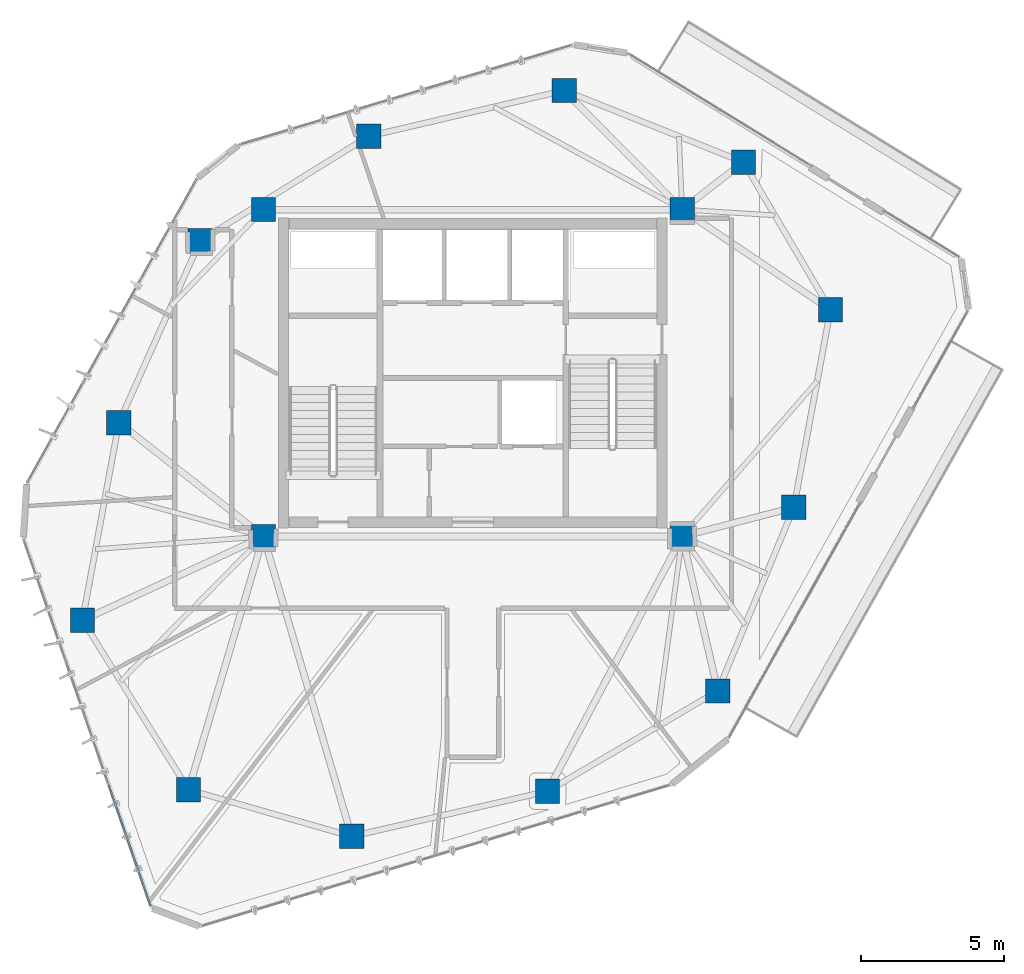
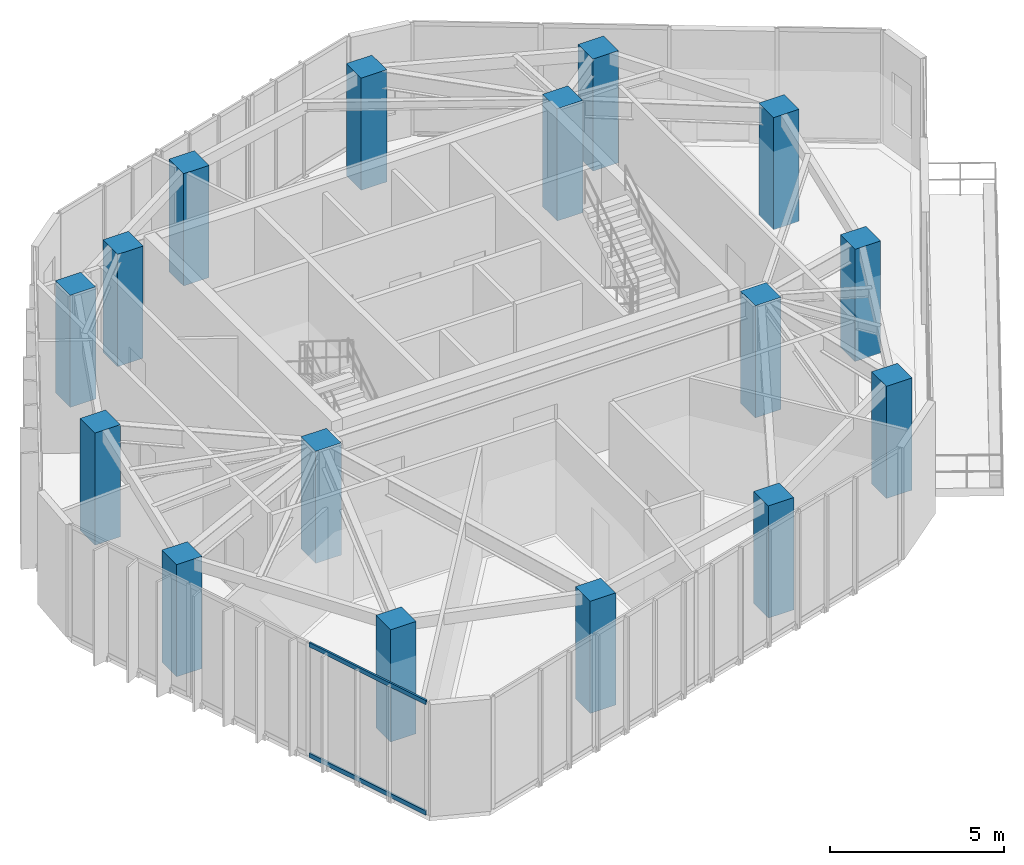
# One storey, part 1 of 20: 16 columns, 2 members, 1 element without a shape of its own.
"""IFC4 building model written with IfcOpenShell, lengths in metres."""

import ifcopenshell
import ifcopenshell.guid

model = None  # the IFC model being written
_history = None  # IfcOwnerHistory: only IFC2X3 demands one
_inside = {}  # id of a spatial element -> (the spatial element, [elements in it])
_under = {}  # id of a project, library or spatial element -> (it, [spatial elements below it])
_declared = {}  # id of a project -> (the project, [libraries it declares])
_typed = {}  # id of a type object -> (the type object, [elements of that type])
_made_of = {}  # id of a material, layer set ... -> (it, [elements and type objects made of it])


def new_model(schema):
    """Start an empty IFC model of exactly this schema.

    Asked for "IFC4X3", IfcOpenShell would pick the latest addendum, in which some entities
    have other attributes; the version numbers below select the first issue.
    IFC2X3 requires an IfcOwnerHistory on every rooted entity: one is made here for all.
    """
    global model, _history
    if schema == "IFC4X3":
        model = ifcopenshell.file(schema_version=(4, 3, 0, 0))
    else:
        model = ifcopenshell.file(schema=schema)
    _inside.clear()
    _under.clear()
    _declared.clear()
    _typed.clear()
    _made_of.clear()
    _history = None
    if model.schema == "IFC2X3":
        org = make("IfcOrganization", Name="unknown")
        user = make(
            "IfcPersonAndOrganization",
            ThePerson=make("IfcPerson", FamilyName="unknown"),
            TheOrganization=org,
        )
        app = make(
            "IfcApplication",
            ApplicationDeveloper=org,
            Version="unknown",
            ApplicationFullName="unknown",
            ApplicationIdentifier="unknown",
        )
        _history = make(
            "IfcOwnerHistory",
            OwningUser=user,
            OwningApplication=app,
            ChangeAction="ADDED",
            CreationDate=0,
        )
    return model


def make(cls, **values):
    """One entity of the class cls with the attributes given. An attribute that is None is left unset."""
    return model.create_entity(
        cls, **{name: value for name, value in values.items() if value is not None}
    )


def rooted(cls, **values):
    """An entity with a GlobalId (a new one), such as an element, a storey or a relation."""
    return make(cls, GlobalId=ifcopenshell.guid.new(), OwnerHistory=_history, **values)


def si_unit(unit_type, name, prefix=None):
    """IfcSIUnit, for example si_unit("LENGTHUNIT", "METRE", prefix="MILLI")."""
    return make("IfcSIUnit", UnitType=unit_type, Prefix=prefix, Name=name)


def assignment(units):
    """IfcUnitAssignment: the units of a project."""
    return None if units is None else make("IfcUnitAssignment", Units=units)


def point(xyz):
    """IfcCartesianPoint."""
    return None if xyz is None else make("IfcCartesianPoint", Coordinates=xyz)


def direction(xyz):
    """IfcDirection."""
    return None if xyz is None else make("IfcDirection", DirectionRatios=xyz)


def frame(location, z_axis=None, x_axis=None):
    """IfcAxis2Placement3D, a coordinate frame: its origin and axes. An axis left out is left unset."""
    return make(
        "IfcAxis2Placement3D",
        Location=point(location),
        Axis=direction(z_axis),
        RefDirection=direction(x_axis),
    )


def frame_2d(location, x_axis=None):
    """IfcAxis2Placement2D, a coordinate frame in the plane: its origin and x axis."""
    return make(
        "IfcAxis2Placement2D", Location=point(location), RefDirection=direction(x_axis)
    )


def origin():
    """The frame at (0, 0, 0) with its axes left unset."""
    return frame((0.0, 0.0, 0.0))


def origin_2d():
    """The frame at (0, 0) in the plane with its x axis left unset."""
    return frame_2d((0.0, 0.0))


def place(relative_to, where):
    """IfcLocalPlacement: puts the frame where relative to a parent placement (None: the world)."""
    return make(
        "IfcLocalPlacement", PlacementRelTo=relative_to, RelativePlacement=where
    )


def context(
    kind, dimensions, precision=None, world=None, true_north=None, identifier=None
):
    """IfcGeometricRepresentationContext, for example the 3D "Model" context."""
    return make(
        "IfcGeometricRepresentationContext",
        ContextIdentifier=identifier,
        ContextType=kind,
        CoordinateSpaceDimension=dimensions,
        Precision=precision,
        WorldCoordinateSystem=world,
        TrueNorth=true_north,
    )


def subcontext(parent, identifier, kind, view, scale=None):
    """IfcGeometricRepresentationSubContext, for example "Body" below "Model"."""
    return make(
        "IfcGeometricRepresentationSubContext",
        ContextIdentifier=identifier,
        ContextType=kind,
        ParentContext=parent,
        TargetScale=scale,
        TargetView=view,
    )


def project(units=None, contexts=None):
    """IfcProject with its units and contexts."""
    return rooted(
        "IfcProject",
        Name="project",
        RepresentationContexts=contexts,
        UnitsInContext=assignment(units),
    )


def spatial(cls, under=None, at=None, **own):
    """A site, building, storey or space (cls), placed at a placement, below another one or the project."""
    s = rooted(cls, ObjectPlacement=at, **own)
    if under is not None:
        _under.setdefault(under.id(), (under, []))[1].append(s)
    return s


def profile(cls, at=None, kind="AREA", **sizes):
    """A parametric profile (cls). Its sizes go by their IFC names, for example OverallWidth=200.0."""
    return make(cls, ProfileType=kind, Position=at, **sizes)


def rectangle(**sizes):
    """IfcRectangleProfileDef."""
    return profile("IfcRectangleProfileDef", **sizes)


def hollow_rectangle(**sizes):
    """IfcRectangleHollowProfileDef."""
    return profile("IfcRectangleHollowProfileDef", **sizes)


def extrude(swept, where, along, depth):
    """IfcExtrudedAreaSolid: the profile swept, set in the frame where, extruded along a direction by depth."""
    return make(
        "IfcExtrudedAreaSolid",
        SweptArea=swept,
        Position=where,
        ExtrudedDirection=direction(along),
        Depth=depth,
    )


def shape(context_of_items, identifier, shape_type, items):
    """IfcShapeRepresentation: the items that make up one representation, for example the "Body"."""
    return make(
        "IfcShapeRepresentation",
        ContextOfItems=context_of_items,
        RepresentationIdentifier=identifier,
        RepresentationType=shape_type,
        Items=items,
    )


def source(mapping_origin, context_of_items, identifier, shape_type, items):
    """IfcRepresentationMap: a shape defined once, which mapped items show again and again."""
    return make(
        "IfcRepresentationMap",
        MappingOrigin=mapping_origin,
        MappedRepresentation=shape(context_of_items, identifier, shape_type, items),
    )


def transform(
    local_origin,
    x_axis=None,
    y_axis=None,
    z_axis=None,
    scale=None,
    scale2=None,
    scale3=None,
    uniform=True,
):
    """IfcCartesianTransformationOperator3D, or its non-uniform kind. x_axis, y_axis, z_axis: its Axis1, 2, 3."""
    if uniform:
        return make(
            "IfcCartesianTransformationOperator3D",
            Axis1=direction(x_axis),
            Axis2=direction(y_axis),
            LocalOrigin=point(local_origin),
            Scale=scale,
            Axis3=direction(z_axis),
        )
    return make(
        "IfcCartesianTransformationOperator3DnonUniform",
        Axis1=direction(x_axis),
        Axis2=direction(y_axis),
        LocalOrigin=point(local_origin),
        Scale=scale,
        Axis3=direction(z_axis),
        Scale2=scale2,
        Scale3=scale3,
    )


def mapped(mapping_source, mapping_target):
    """IfcMappedItem: shows the shape of a source again, moved by a transform."""
    return make(
        "IfcMappedItem", MappingSource=mapping_source, MappingTarget=mapping_target
    )


def material(Name=None, Category=None):
    """IfcMaterial."""
    return make("IfcMaterial", Name=Name, Category=Category)


def layer(
    of_material, thickness, ventilated=None, Name=None, Category=None, Priority=None
):
    """IfcMaterialLayer: one layer of a wall or slab, of a material (None: an air gap)."""
    return make(
        "IfcMaterialLayer",
        Material=of_material,
        LayerThickness=thickness,
        IsVentilated=ventilated,
        Name=Name,
        Category=Category,
        Priority=Priority,
    )


def layer_set(layers, Name=None):
    """IfcMaterialLayerSet."""
    return make("IfcMaterialLayerSet", MaterialLayers=layers, LayerSetName=Name)


def material_profile(
    of_material, cross_section, Name=None, Category=None, Priority=None
):
    """IfcMaterialProfile: a cross section and its material."""
    return make(
        "IfcMaterialProfile",
        Name=Name,
        Material=of_material,
        Profile=cross_section,
        Priority=Priority,
        Category=Category,
    )


def profile_set(profiles, Name=None, composite=None):
    """IfcMaterialProfileSet."""
    return make(
        "IfcMaterialProfileSet",
        Name=Name,
        MaterialProfiles=profiles,
        CompositeProfile=composite,
    )


def made_of(thing, what):
    """Note that an element or type object is made of a material, layer set ...; save() writes the relation."""
    if what is not None:
        _made_of.setdefault(what.id(), (what, []))[1].append(thing)
    return thing


def type_object(cls, material=None, **own):
    """A type object (cls), such as IfcWallType, which elements share."""
    return made_of(rooted(cls, **own), material)


def type_shapes(of_type, sources):
    """Give a type object the sources (RepresentationMaps) that its elements show as mapped items."""
    of_type.RepresentationMaps = sources


def element(
    cls,
    number,
    at=None,
    inside=None,
    cuts=None,
    type_object=None,
    material=None,
    context=None,
    identifier="Body",
    shape_type=None,
    held_by="IfcProductDefinitionShape",
    body=None,
    shapes=None,
    **own,
):
    """One element of the class cls, such as IfcWall. Its Tag is "e" and its number.

    at: its placement. inside: the storey or other place that contains it. cuts: it is an
    opening in that element (IfcRelVoidsElement). A single representation is given by context,
    identifier, shape_type and body (its items); several are given by shapes. held_by: the class
    of the entity that holds the representations. save() writes the other relations.
    """
    e = rooted(cls, Tag="e%d" % number, ObjectPlacement=at, **own)
    if body is not None:
        shapes = [shape(context, identifier, shape_type, body)]
    if shapes is not None:
        e.Representation = make(held_by, Representations=shapes)
    if inside is not None:
        _inside.setdefault(inside.id(), (inside, []))[1].append(e)
    if cuts is not None:
        rooted(
            "IfcRelVoidsElement", RelatingBuildingElement=cuts, RelatedOpeningElement=e
        )
    if type_object is not None:
        _typed.setdefault(type_object.id(), (type_object, []))[1].append(e)
    return made_of(e, material)


def aggregate(whole, parts):
    """IfcRelAggregates: a whole, such as a stair, and the parts it consists of."""
    return rooted("IfcRelAggregates", RelatingObject=whole, RelatedObjects=parts)


def save(model, path):
    """Write the relations noted so far, then the file.

    IfcRelAggregates (storeys below a building ...), IfcRelContainedInSpatialStructure (elements
    in a storey), IfcRelDefinesByType, IfcRelAssociatesMaterial and IfcRelDeclares: one each for
    every whole, place, type object, material and project.
    """
    for whole, parts in _under.values():
        aggregate(whole, parts)
    for where, things in _inside.values():
        rooted(
            "IfcRelContainedInSpatialStructure",
            RelatedElements=things,
            RelatingStructure=where,
        )
    for kind, things in _typed.values():
        rooted("IfcRelDefinesByType", RelatedObjects=things, RelatingType=kind)
    for what, things in _made_of.values():
        rooted("IfcRelAssociatesMaterial", RelatedObjects=things, RelatingMaterial=what)
    for by, libraries in _declared.values():
        rooted("IfcRelDeclares", RelatingContext=by, RelatedDefinitions=libraries)
    model.write(path)


model = new_model("IFC4")

# Units and contexts
model_context = context("Model", 3, precision=1e-05, world=origin(), true_north=direction((0.0, 1.0)))
body_context = subcontext(model_context, "Body", "Model", "MODEL_VIEW")
ifc_project = project(units=[si_unit("LENGTHUNIT", "METRE"), si_unit("AREAUNIT", "SQUARE_METRE"), si_unit("VOLUMEUNIT", "CUBIC_METRE"), si_unit("PLANEANGLEUNIT", "RADIAN"), si_unit("MASSUNIT", "GRAM", prefix="KILO")], contexts=[model_context])

# Site, building, storey
site_placement = place(None, origin())
site = spatial("IfcSite", under=ifc_project, at=site_placement, CompositionType="ELEMENT")
building_placement = place(site_placement, origin())
building = spatial("IfcBuilding", under=site, at=building_placement, Name="Talar Marvaseh", CompositionType="ELEMENT")
storey_placement = place(building_placement, frame((0.0, 0.0, 291.800048828125)))
storey = spatial("IfcBuildingStorey", under=building, at=storey_placement, Name="L78", CompositionType="ELEMENT", Elevation=291.800048828125)

# Columns
ifc_material_1 = material(Name="Concrete C50/60", Category="concrete")
ifc_material_profile_1 = material_profile(ifc_material_1, rectangle(XDim=0.85009765625, YDim=0.85009765625, at=origin_2d()), Name="RC850x850")
ifc_profile_set_1 = profile_set([ifc_material_profile_1], Name="Concrete C50/60")
column_type = type_object("IfcColumnType", Name="Zone 4 Tube Column RC850x850", PredefinedType="COLUMN", material=ifc_profile_set_1)
for number, where, z_axis, x_axis, name in (
    (1, (12.388916015625, 22.576904296875, 0.0), (0.0, 0.0, 1.0), (1.0, 0.0, 0.0), "L78 Zone 4 Tube Column RC850x850"),
    (2, (13.657958984375, 29.469970703125, 0.0), (0.0, 0.0, 1.0), (1.0, 0.0, 0.0), "L78 Zone 4 Tube Column RC850x850"),
    (3, (16.493896484375, 35.806884765625, 0.0), (0.0, 0.0, 1.0), (1.0, 0.0, 0.0), "L78 Zone 4 Tube Column RC850x850"),
    (4, (22.364990234375, 39.4541015625, 0.0), (0.0, 0.0, 1.0), (1.0, 0.0, 0.0), "L78 Zone 4 Tube Column RC850x850"),
    (5, (29.18798828125, 41.052001953125, 0.0), (0.0, 0.0, 1.0), (1.0, 0.0, 0.0), "L78 Zone 4 Tube Column RC850x850"),
    (6, (35.43798828125, 38.551025390625, 0.0), (0.0, 0.0, 1.0), (1.0, 0.0, 0.0), "L78 Zone 4 Tube Column RC850x850"),
    (7, (38.470947265625, 33.406005859375, 0.0), (0.0, 0.0, 1.0), (1.0, 0.0, 0.0), "L78 Zone 4 Tube Column RC850x850"),
    (8, (37.197021484375, 26.513916015625, 0.0), (0.0, 0.0, 1.0), (1.0, 0.0, 0.0), "L78 Zone 4 Tube Column RC850x850"),
    (9, (34.5439453125, 20.111083984375, 0.0), (0.0, 0.0, 1.0), (1.0, 0.0, 0.0), "L78 Zone 4 Tube Column RC850x850"),
    (10, (28.60498046875, 16.616943359375, 0.0), (0.0, 0.0, 1.0), (1.0, 0.0, 0.0), "L78 Zone 4 Tube Column RC850x850"),
    (11, (21.77587890625, 15.0400390625, 0.0), (0.0, 0.0, 1.0), (1.0, 0.0, 0.0), "L78 Zone 4 Tube Column RC850x850"),
    (12, (16.0869140625, 16.66796875, 0.0), (0.0, 0.0, 1.0), (1.0, 0.0, 0.0), "L78 Zone 4 Tube Column RC850x850"),
    (13, (18.699951171875, 25.5, 0.0), (0.0, 0.0, 1.0), (1.0, 0.0, 0.0), "L78 Zone 4 Tube Column RC850x850"),
    (14, (33.300048828125, 25.5, 0.0), (0.0, 0.0, 1.0), (1.0, 0.0, 0.0), "L78 Zone 4 Tube Column RC850x850"),
    (15, (33.300048828125, 36.89990234375, 0.0), (0.0, 0.0, 1.0), (1.0, 0.0, 0.0), "L78 Zone 4 Tube Column RC850x850"),
    (16, (18.699951171875, 36.89990234375, 0.0), (0.0, 0.0, 1.0), (1.0, 0.0, 0.0), "L78 Zone 4 Tube Column RC850x850"),
):
    element("IfcColumn", number, at=place(storey_placement, frame(where, z_axis=z_axis, x_axis=x_axis)), inside=storey, type_object=column_type, Name=name, PredefinedType="COLUMN", context=body_context, shape_type="SweptSolid", body=[
        extrude(rectangle(XDim=0.85009765625, YDim=0.85009765625, at=origin_2d()), origin(), (0.0, 0.0, 1.0), 3.93994140625),
    ])

# Curtain wall, members
ifc_material_2 = material(Name="Architectural Aluminium", Category="aluminium")
ifc_layer = layer(ifc_material_2, 0.239990234375)
ifc_layer_set = layer_set([ifc_layer], Name="Architectural Aluminium")
curtain_wall_type = type_object("IfcCurtainWallType", Name="Observation Sky Gallery Structural Glass Wall", PredefinedType="NOTDEFINED", material=ifc_layer_set)
curtain_wall_placement = place(storey_placement, origin())
curtain_wall = element("IfcCurtainWall", 17, at=curtain_wall_placement, inside=storey, type_object=curtain_wall_type, Name="L78 Observation Sky Gallery Structural Glass Wall", PredefinedType="NOTDEFINED")
ifc_material_profile_2 = material_profile(ifc_material_2, hollow_rectangle(XDim=0.06494140625, YDim=0.14990234375, WallThickness=0.00390625, at=origin_2d()), Name="RHS150x65x4")
ifc_profile_set_2 = profile_set([ifc_material_profile_2], Name="Architectural Aluminium")
member_type = type_object("IfcMemberType", Name="Unitised Curtain Wall Slim Transom RHS150x65x4", PredefinedType="USERDEFINED", material=ifc_profile_set_2)
shared_shape = source(origin(), body_context, "Body", "SweptSolid", [
    extrude(hollow_rectangle(XDim=0.06494140625, YDim=0.14990234375, WallThickness=0.00390625, at=origin_2d()), origin(), (0.0, 0.0, 1.0), 4.447265625),
])
type_shapes(member_type, [shared_shape])
member_1_placement = place(storey_placement, frame((14.7646484375, 12.62353515625, 0.032470703125), z_axis=(-0.327125647569, 0.94498085203, 0.0), x_axis=(-0.94498085203, -0.327125647569, 0.0)))
member_1 = element("IfcMember", 18, at=member_1_placement, type_object=member_type, Name="CW-OBS transom 1.1", ObjectType="TRANSOM", PredefinedType="USERDEFINED", context=body_context, shape_type="MappedRepresentation", body=[
    mapped(shared_shape, transform((0.0, 0.0, 0.0), x_axis=(1.0, 0.0, 0.0), y_axis=(0.0, 1.0, 0.0), z_axis=(0.0, 0.0, 1.0), scale=1.0)),
])
member_2_placement = place(storey_placement, frame((14.7646484375, 12.62353515625, 3.907470703125), z_axis=(-0.327125647569, 0.94498085203, 0.0), x_axis=(-0.94498085203, -0.327125647569, 0.0)))
member_2 = element("IfcMember", 19, at=member_2_placement, type_object=member_type, Name="CW-OBS transom 1.2", ObjectType="TRANSOM", PredefinedType="USERDEFINED", context=body_context, shape_type="MappedRepresentation", body=[
    mapped(shared_shape, transform((0.0, 0.0, 0.0), x_axis=(1.0, 0.0, 0.0), y_axis=(0.0, 1.0, 0.0), z_axis=(0.0, 0.0, 1.0), scale=1.0)),
])
aggregate(curtain_wall, [member_1, member_2])

save(model, "model.ifc")
